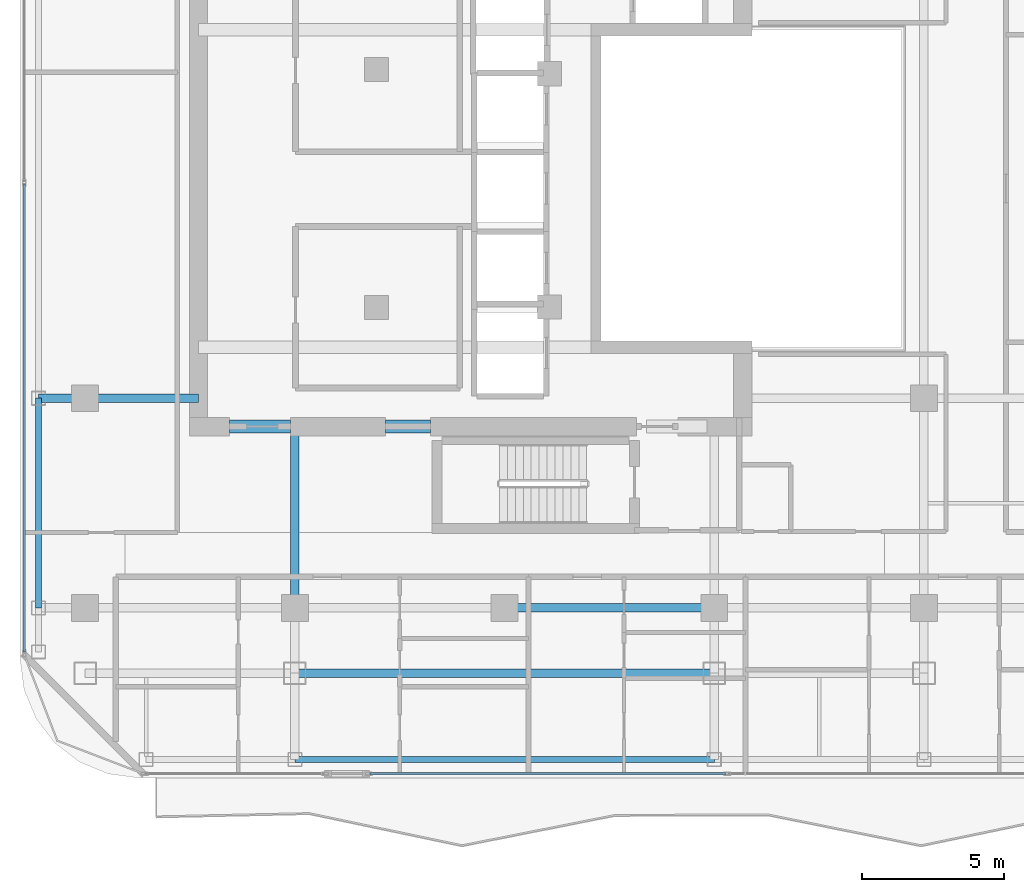
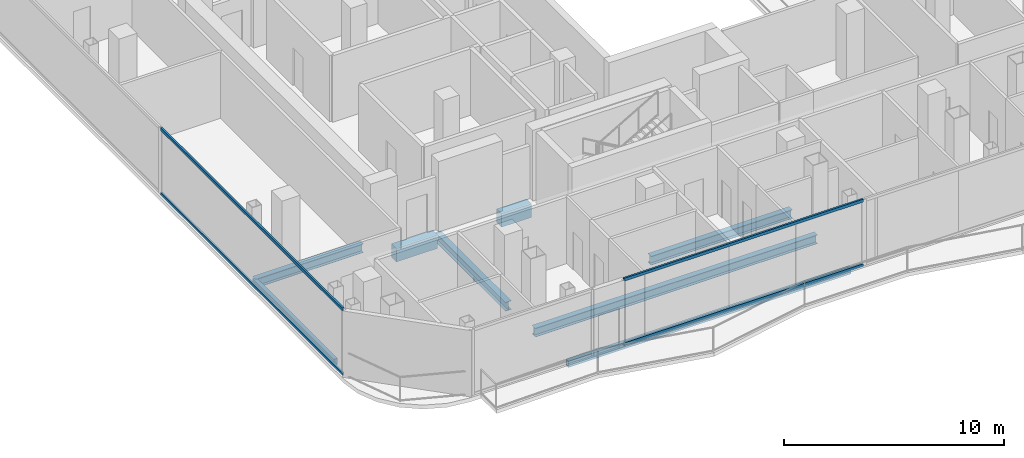
# One storey, part 3 of 23: 8 beams, 4 members, 2 elements without a shape of their own.
"""IFC4 building model written with IfcOpenShell, lengths in metres."""

from ifc_helpers import new_model, si_unit, direction, frame, origin, origin_2d, place, context, subcontext, project, spatial, rectangle, hollow_rectangle, i_section, extrude, material, layer, layer_set, material_profile, profile_set, type_object, element, aggregate, save


model = new_model("IFC4")

# Units and contexts
model_context = context("Model", 3, precision=1e-05, world=origin(), true_north=direction((0.0, 1.0)))
body_context = subcontext(model_context, "Body", "Model", "MODEL_VIEW")
ifc_project = project(units=[si_unit("LENGTHUNIT", "METRE"), si_unit("AREAUNIT", "SQUARE_METRE"), si_unit("VOLUMEUNIT", "CUBIC_METRE"), si_unit("PLANEANGLEUNIT", "RADIAN"), si_unit("MASSUNIT", "GRAM", prefix="KILO")], contexts=[model_context])

# Site, building, storey
site_placement = place(None, origin())
site = spatial("IfcSite", under=ifc_project, at=site_placement, CompositionType="ELEMENT")
building_placement = place(site_placement, origin())
building = spatial("IfcBuilding", under=site, at=building_placement, Name="Khorvyn Point Tower", CompositionType="ELEMENT")
storey_placement = place(building_placement, frame((0.0, 0.0, 274.199951171875)))
storey = spatial("IfcBuildingStorey", under=building, at=storey_placement, Name="L67", CompositionType="ELEMENT", Elevation=274.199951171875)

# Curtain wall, members
ifc_material_1 = material(Name="Anodised aluminium 6063-T6 and laminated Low-E glass", Category="aluminium")
ifc_layer = layer(ifc_material_1, 0.18994140625)
ifc_layer_set = layer_set([ifc_layer], Name="Stick-Built High-Wind Curtain Wall CW-SYS-04")
curtain_wall_type = type_object("IfcCurtainWallType", Name="Stick-Built High-Wind Curtain Wall CW-SYS-04", PredefinedType="NOTDEFINED", material=ifc_layer_set)
curtain_wall_1_placement = place(storey_placement, origin())
curtain_wall_1 = element("IfcCurtainWall", 1, at=curtain_wall_1_placement, inside=storey, type_object=curtain_wall_type, Name="Curtain Wall", PredefinedType="NOTDEFINED")
ifc_material_2 = material(Name="Anodised aluminium 6063-T6", Category="aluminium")
ifc_material_profile_1 = material_profile(ifc_material_2, hollow_rectangle(XDim=0.10009765625, YDim=0.159912109375, WallThickness=0.00439453125, at=origin_2d()))
ifc_profile_set_1 = profile_set([ifc_material_profile_1], Name="Anodised aluminium 6063-T6 ALU-TRN-100x160")
member_type = type_object("IfcMemberType", Name="Anodised Aluminium 6063-T6 Transom ALU-TRN-100x160", PredefinedType="USERDEFINED", material=ifc_profile_set_1)
member_1_placement = place(storey_placement, frame((7.803466796875, -20.64990234375, 0.050048828125), z_axis=(-1.0, 0.0, 0.0), x_axis=(0.0, -1.0, 0.0)))
member_1 = element("IfcMember", 2, at=member_1_placement, type_object=member_type, Name="Transom", ObjectType="TRANSOM", PredefinedType="USERDEFINED", context=body_context, shape_type="SweptSolid", body=[
    extrude(hollow_rectangle(XDim=0.10009765625, YDim=0.159912109375, WallThickness=0.00439453125, at=origin_2d()), origin(), (0.0, 0.0, 1.0), 12.54638671875),
])
member_2_placement = place(storey_placement, frame((7.803466796875, -20.64990234375, 3.630126953125), z_axis=(-1.0, 0.0, 0.0), x_axis=(0.0, -1.0, 0.0)))
member_2 = element("IfcMember", 3, at=member_2_placement, type_object=member_type, Name="Transom", ObjectType="TRANSOM", PredefinedType="USERDEFINED", context=body_context, shape_type="SweptSolid", body=[
    extrude(hollow_rectangle(XDim=0.10009765625, YDim=0.159912109375, WallThickness=0.00439453125, at=origin_2d()), origin(), (0.0, 0.0, 1.0), 12.54638671875),
])
aggregate(curtain_wall_1, [member_1, member_2])

curtain_wall_2_placement = place(storey_placement, origin())
curtain_wall_2 = element("IfcCurtainWall", 4, at=curtain_wall_2_placement, inside=storey, type_object=curtain_wall_type, Name="Curtain Wall", PredefinedType="NOTDEFINED")
member_3_placement = place(storey_placement, frame((-16.949951171875, -16.35009765625, 0.050048828125), z_axis=(0.0, 1.0, 0.0), x_axis=(-1.0, 0.0, 0.0)))
member_3 = element("IfcMember", 5, at=member_3_placement, type_object=member_type, Name="Transom", ObjectType="TRANSOM", PredefinedType="USERDEFINED", context=body_context, shape_type="SweptSolid", body=[
    extrude(hollow_rectangle(XDim=0.10009765625, YDim=0.159912109375, WallThickness=0.00439453125, at=origin_2d()), origin(), (0.0, 0.0, 1.0), 16.5),
])
member_4_placement = place(storey_placement, frame((-16.949951171875, -16.35009765625, 3.630126953125), z_axis=(0.0, 1.0, 0.0), x_axis=(-1.0, 0.0, 0.0)))
member_4 = element("IfcMember", 6, at=member_4_placement, type_object=member_type, Name="Transom", ObjectType="TRANSOM", PredefinedType="USERDEFINED", context=body_context, shape_type="SweptSolid", body=[
    extrude(hollow_rectangle(XDim=0.10009765625, YDim=0.159912109375, WallThickness=0.00439453125, at=origin_2d()), origin(), (0.0, 0.0, 1.0), 16.5),
])
aggregate(curtain_wall_2, [member_3, member_4])

# Beams
ifc_material_3 = material(Name="Concrete C40/50", Category="concrete")
ifc_material_profile_2 = material_profile(ifc_material_3, rectangle(XDim=0.449951171875, YDim=0.75, at=origin_2d()))
ifc_profile_set_2 = profile_set([ifc_material_profile_2], Name="Concrete C40/50 RC450x750")
beam_type_1 = type_object("IfcBeamType", Name="Concrete C40/50 Beam RC450x750", PredefinedType="BEAM", material=ifc_profile_set_2)
beam_1_placement = place(storey_placement, frame((-9.699951171875, -8.39990234375, -0.594970703125), z_axis=(1.0, 0.0, 0.0), x_axis=(0.0, 1.0, 0.0)))
element("IfcBeam", 7, at=beam_1_placement, inside=storey, type_object=beam_type_1, Name="L67 Core Southwest Portal Coupling Beam", PredefinedType="BEAM", context=body_context, shape_type="SweptSolid", body=[
    extrude(rectangle(XDim=0.449951171875, YDim=0.75, at=origin_2d()), origin(), (0.0, 0.0, 1.0), 2.14990234375),
])
beam_2_placement = place(storey_placement, frame((-4.199951171875, -8.39990234375, -0.594970703125), z_axis=(1.0, 0.0, 0.0), x_axis=(0.0, 1.0, 0.0)))
element("IfcBeam", 8, at=beam_2_placement, inside=storey, type_object=beam_type_1, Name="L67 Core Shuttle Portal Coupling Beam", PredefinedType="BEAM", context=body_context, shape_type="SweptSolid", body=[
    extrude(rectangle(XDim=0.449951171875, YDim=0.75, at=origin_2d()), origin(), (0.0, 0.0, 1.0), 1.579833984375),
])
ifc_material_4 = material(Name="Steel S355", Category="steel")
ifc_material_profile_3 = material_profile(ifc_material_4, i_section(OverallWidth=0.300048828125, OverallDepth=0.488037109375, WebThickness=0.010986328125, FlangeThickness=0.01806640625, at=origin_2d()))
ifc_profile_set_3 = profile_set([ifc_material_profile_3], Name="Steel S355 H488x300x11x18")
beam_type_2 = type_object("IfcBeamType", Name="Steel S355 Spandrel H488x300x11x18", PredefinedType="SPANDREL", material=ifc_profile_set_3)
beam_3_placement = place(storey_placement, frame((0.0, -14.800048828125, -0.4638671875), z_axis=(1.0, 0.0, 0.0), x_axis=(0.0, 1.0, 0.0)))
element("IfcBeam", 9, at=beam_3_placement, inside=storey, type_object=beam_type_2, Name="Beam", PredefinedType="SPANDREL", context=body_context, shape_type="SweptSolid", body=[
    extrude(i_section(OverallWidth=0.300048828125, OverallDepth=0.488037109375, WebThickness=0.010986328125, FlangeThickness=0.01806640625, at=origin_2d()), origin(), (0.0, 0.0, 1.0), 7.39990234375),
])
beam_4_placement = place(storey_placement, frame((-16.449951171875, -7.39990234375, -0.4638671875), z_axis=(1.0, 0.0, 0.0), x_axis=(0.0, 1.0, 0.0)))
element("IfcBeam", 10, at=beam_4_placement, inside=storey, type_object=beam_type_2, Name="Beam", PredefinedType="SPANDREL", context=body_context, shape_type="SweptSolid", body=[
    extrude(i_section(OverallWidth=0.300048828125, OverallDepth=0.488037109375, WebThickness=0.010986328125, FlangeThickness=0.01806640625, at=origin_2d()), origin(), (0.0, 0.0, 1.0), 5.64990234375),
])
beam_5_placement = place(storey_placement, frame((-7.39990234375, -17.10009765625, -0.4638671875), z_axis=(1.0, 0.0, 0.0), x_axis=(0.0, 1.0, 0.0)))
element("IfcBeam", 11, at=beam_5_placement, inside=storey, type_object=beam_type_2, Name="Beam", PredefinedType="SPANDREL", context=body_context, shape_type="SweptSolid", body=[
    extrude(i_section(OverallWidth=0.300048828125, OverallDepth=0.488037109375, WebThickness=0.010986328125, FlangeThickness=0.01806640625, at=origin_2d()), origin(), (0.0, 0.0, 1.0), 14.7998046875),
])
beam_6_placement = place(storey_placement, frame((-7.39990234375, -14.800048828125, -0.4638671875), z_axis=(0.0, 1.0, 0.0), x_axis=(-1.0, 0.0, 0.0)))
element("IfcBeam", 12, at=beam_6_placement, inside=storey, type_object=beam_type_2, Name="Beam", PredefinedType="SPANDREL", context=body_context, shape_type="SweptSolid", body=[
    extrude(i_section(OverallWidth=0.300048828125, OverallDepth=0.488037109375, WebThickness=0.010986328125, FlangeThickness=0.01806640625, at=origin_2d()), origin(), (0.0, 0.0, 1.0), 6.400146484375),
])
ifc_material_profile_4 = material_profile(ifc_material_4, hollow_rectangle(XDim=0.199951171875, YDim=0.35009765625, WallThickness=0.013916015625, at=origin_2d()))
ifc_profile_set_4 = profile_set([ifc_material_profile_4], Name="Steel S355 RHS350x200x14")
beam_type_3 = type_object("IfcBeamType", Name="Steel S355 Spandrel RHS350x200x14", PredefinedType="SPANDREL", material=ifc_profile_set_4)
beam_7_placement = place(storey_placement, frame((-7.39990234375, -20.14990234375, -0.39501953125), z_axis=(1.0, 0.0, 0.0), x_axis=(0.0, 1.0, 0.0)))
element("IfcBeam", 13, at=beam_7_placement, inside=storey, type_object=beam_type_3, Name="Beam", PredefinedType="SPANDREL", context=body_context, shape_type="SweptSolid", body=[
    extrude(hollow_rectangle(XDim=0.199951171875, YDim=0.35009765625, WallThickness=0.013916015625, at=origin_2d()), origin(), (0.0, 0.0, 1.0), 14.7998046875),
])
beam_8_placement = place(storey_placement, frame((-16.449951171875, -14.800048828125, -0.39501953125), z_axis=(0.0, 1.0, 0.0), x_axis=(-1.0, 0.0, 0.0)))
element("IfcBeam", 14, at=beam_8_placement, inside=storey, type_object=beam_type_3, Name="Beam", PredefinedType="SPANDREL", context=body_context, shape_type="SweptSolid", body=[
    extrude(hollow_rectangle(XDim=0.199951171875, YDim=0.35009765625, WallThickness=0.013916015625, at=origin_2d()), origin(), (0.0, 0.0, 1.0), 7.400146484375),
])

save(model, "model.ifc")
